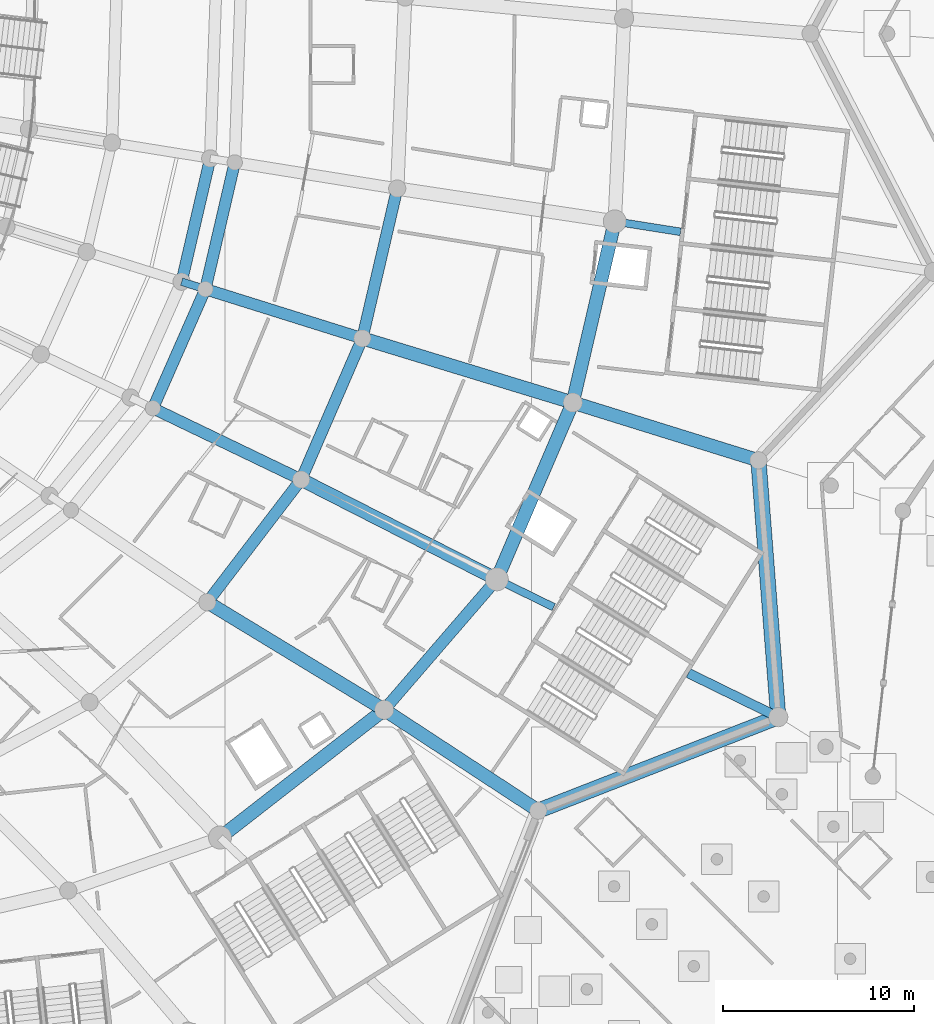
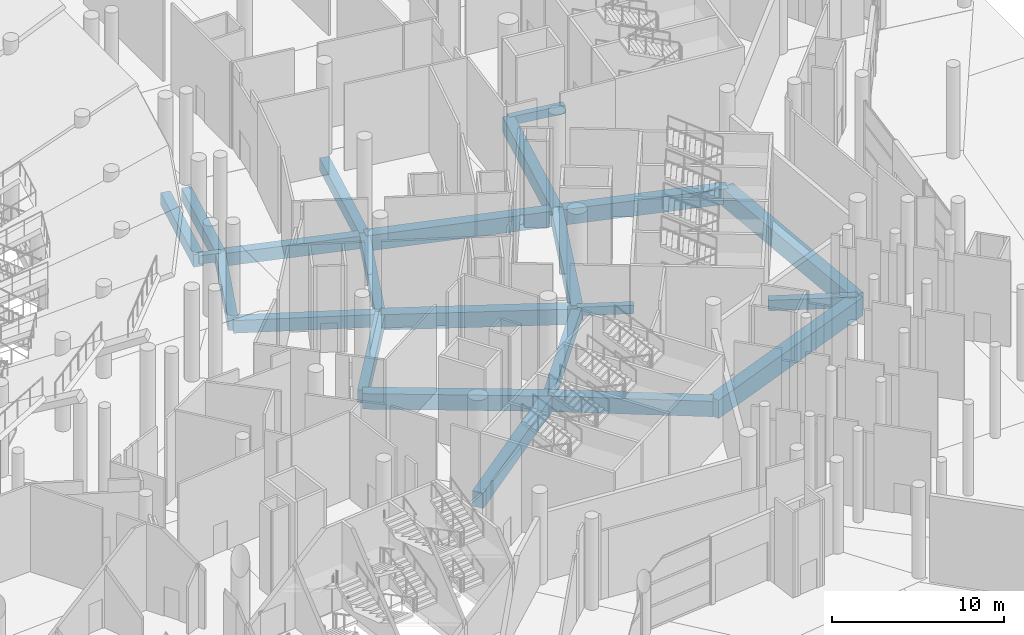
# One storey, part 36 of 255: 23 beams.
"""IFC4 building model written with IfcOpenShell, lengths in metres."""

from ifc_helpers import new_model, si_unit, direction, frame, origin, origin_2d, place, context, subcontext, project, spatial, rectangle, extrude, material, material_profile, profile_set, type_object, element, save


model = new_model("IFC4")

# Units and contexts
model_context = context("Model", 3, precision=1e-05, world=origin(), true_north=direction((0.0, 1.0)))
body_context = subcontext(model_context, "Body", "Model", "MODEL_VIEW")
ifc_project = project(units=[si_unit("LENGTHUNIT", "METRE"), si_unit("AREAUNIT", "SQUARE_METRE"), si_unit("VOLUMEUNIT", "CUBIC_METRE"), si_unit("PLANEANGLEUNIT", "RADIAN"), si_unit("MASSUNIT", "GRAM", prefix="KILO")], contexts=[model_context])

# Site, building, storey
site_placement = place(None, origin())
site = spatial("IfcSite", under=ifc_project, at=site_placement, CompositionType="ELEMENT")
building_placement = place(site_placement, origin())
building = spatial("IfcBuilding", under=site, at=building_placement, Name="Meseta Stadium", CompositionType="ELEMENT")
storey_placement = place(building_placement, origin())
storey = spatial("IfcBuildingStorey", under=building, at=storey_placement, Name="L00", CompositionType="ELEMENT", Elevation=0.0)

# Beams
ifc_material_1 = material(Name="Concrete C40/50", Category="concrete")
ifc_material_profile_1 = material_profile(ifc_material_1, rectangle(XDim=0.39990234375, YDim=0.60009765625, at=origin_2d()), Name="RC 400x600")
ifc_profile_set_1 = profile_set([ifc_material_profile_1], Name="Concrete C40/50")
beam_type_1 = type_object("IfcBeamType", Name="RC beam 400x600", PredefinedType="BEAM", material=ifc_profile_set_1)
beam_1_placement = place(storey_placement, frame((84.36328125, -53.5654296875, -0.699951171875), z_axis=(0.987745905014, -0.156070583799, 0.0), x_axis=(0.156070583799, 0.987745905014, 0.0)))
element("IfcBeam", 1, at=beam_1_placement, inside=storey, type_object=beam_type_1, Name="L00 radial beam frame 0 line P to R", PredefinedType="BEAM", context=body_context, shape_type="SweptSolid", body=[
    extrude(rectangle(XDim=0.39990234375, YDim=0.60009765625, at=origin_2d()), origin(), (0.0, 0.0, 1.0), 3.482177734375),
])
beam_2_placement = place(storey_placement, frame((78.197998046875, -72.27197265625, -0.699951171875), z_axis=(0.898132346212, -0.439725242267, 0.0), x_axis=(0.439725242267, 0.898132346212, 0.0)))
element("IfcBeam", 2, at=beam_2_placement, inside=storey, type_object=beam_type_1, Name="L00 radial beam frame 54 line P to R", PredefinedType="BEAM", context=body_context, shape_type="SweptSolid", body=[
    extrude(rectangle(XDim=0.39990234375, YDim=0.60009765625, at=origin_2d()), origin(), (0.0, 0.0, 1.0), 3.306396484375),
])
beam_3_placement = place(storey_placement, frame((61.72314453125, -56.715576171875, -0.699951171875), z_axis=(0.954202212312, -0.299162394059, 0.0), x_axis=(0.299162394059, 0.954202212312, 0.0)))
element("IfcBeam", 3, at=beam_3_placement, inside=storey, type_object=beam_type_1, Name="L00 radial beam frame 55 line C to D", PredefinedType="BEAM", context=body_context, shape_type="SweptSolid", body=[
    extrude(rectangle(XDim=0.39990234375, YDim=0.60009765625, at=origin_2d()), origin(), (0.0, 0.0, 1.0), 1.300048828125),
])
ifc_material_2 = material(Name="Concrete C40/50", Category="concrete")
ifc_material_profile_2 = material_profile(ifc_material_2, rectangle(XDim=0.5, YDim=0.75, at=origin_2d()), Name="RC 500x750")
ifc_profile_set_2 = profile_set([ifc_material_profile_2], Name="Concrete C40/50")
beam_type_2 = type_object("IfcBeamType", Name="RC beam 500x750", PredefinedType="BEAM", material=ifc_profile_set_2)
beam_4_placement = place(storey_placement, frame((88.212158203125, -77.175048828125, -0.77490234375), z_axis=(0.898112763243, -0.439765237939, 0.0), x_axis=(0.439765237939, 0.898112763243, 0.0)))
element("IfcBeam", 4, at=beam_4_placement, inside=storey, type_object=beam_type_2, Name="L00 radial beam frame 54 line P to R", PredefinedType="BEAM", context=body_context, shape_type="SweptSolid", body=[
    extrude(rectangle(XDim=0.5, YDim=0.75, at=origin_2d()), origin(), (0.0, 0.0, 1.0), 5.22900390625),
])
ifc_material_3 = material(Name="Concrete C40/50", Category="concrete")
ifc_material_profile_3 = material_profile(ifc_material_3, rectangle(XDim=0.60009765625, YDim=0.89990234375, at=origin_2d()), Name="RC 600x900")
ifc_profile_set_3 = profile_set([ifc_material_profile_3], Name="Concrete C40/50")
beam_type_3 = type_object("IfcBeamType", Name="RC beam 600x900", PredefinedType="BEAM", material=ifc_profile_set_3)
beam_5_placement = place(storey_placement, frame((63.068115234375, -73.469970703125, -0.85009765625), z_axis=(0.607521948786, 0.794302890428, 0.0), x_axis=(-0.794302890428, 0.607521948786, 0.0)))
element("IfcBeam", 5, at=beam_5_placement, inside=storey, type_object=beam_type_3, Name="L00 ring beam frame 53 line E", PredefinedType="BEAM", context=body_context, shape_type="SweptSolid", body=[
    extrude(rectangle(XDim=0.60009765625, YDim=0.89990234375, at=origin_2d()), origin(), (0.0, 0.0, 1.0), 8.072509765625),
])
beam_6_placement = place(storey_placement, frame((72.31201171875, -79.091064453125, -0.85009765625), z_axis=(0.653414508663, 0.757000316954, 0.0), x_axis=(-0.757000316954, 0.653414508663, 0.0)))
element("IfcBeam", 6, at=beam_6_placement, inside=storey, type_object=beam_type_3, Name="L00 ring beam frame 53 line P", PredefinedType="BEAM", context=body_context, shape_type="SweptSolid", body=[
    extrude(rectangle(XDim=0.60009765625, YDim=0.89990234375, at=origin_2d()), origin(), (0.0, 0.0, 1.0), 9.008056640625),
])
beam_7_placement = place(storey_placement, frame((60.22216796875, -63.33056640625, -0.85009765625), z_axis=(0.402982741988, 0.915207577361, 0.0), x_axis=(-0.915207577361, 0.402982741988, 0.0)))
element("IfcBeam", 7, at=beam_7_placement, inside=storey, type_object=beam_type_3, Name="L00 ring beam frame 54 line D", PredefinedType="BEAM", context=body_context, shape_type="SweptSolid", body=[
    extrude(rectangle(XDim=0.60009765625, YDim=0.89990234375, at=origin_2d()), origin(), (0.0, 0.0, 1.0), 6.802978515625),
])
beam_8_placement = place(storey_placement, frame((67.972412109375, -67.057861328125, -0.85009765625), z_axis=(0.397502661884, 0.91760102103, 0.0), x_axis=(-0.91760102103, 0.397502661884, 0.0)))
element("IfcBeam", 8, at=beam_8_placement, inside=storey, type_object=beam_type_3, Name="L00 ring beam frame 54 line E", PredefinedType="BEAM", context=body_context, shape_type="SweptSolid", body=[
    extrude(rectangle(XDim=0.60009765625, YDim=0.89990234375, at=origin_2d()), origin(), (0.0, 0.0, 1.0), 8.04345703125),
])
beam_9_placement = place(storey_placement, frame((61.72314453125, -56.715576171875, -0.85009765625), z_axis=(0.226059029022, 0.974113604975, 0.0), x_axis=(-0.974113604975, 0.226059029022, 0.0)))
element("IfcBeam", 9, at=beam_9_placement, inside=storey, type_object=beam_type_3, Name="L00 ring beam frame 55 line C", PredefinedType="BEAM", context=body_context, shape_type="SweptSolid", body=[
    extrude(rectangle(XDim=0.60009765625, YDim=0.89990234375, at=origin_2d()), origin(), (0.0, 0.0, 1.0), 6.61376953125),
])
beam_10_placement = place(storey_placement, frame((62.963623046875, -57.1044921875, -0.85009765625), z_axis=(0.226157078617, 0.974090845759, 0.0), x_axis=(-0.974090845759, 0.226157078617, 0.0)))
element("IfcBeam", 10, at=beam_10_placement, inside=storey, type_object=beam_type_3, Name="L00 ring beam frame 55 line D", PredefinedType="BEAM", context=body_context, shape_type="SweptSolid", body=[
    extrude(rectangle(XDim=0.60009765625, YDim=0.89990234375, at=origin_2d()), origin(), (0.0, 0.0, 1.0), 6.801025390625),
])
beam_11_placement = place(storey_placement, frame((71.169677734375, -59.67724609375, -0.85009765625), z_axis=(0.226697740265, 0.973965160855, 0.0), x_axis=(-0.973965160855, 0.226697740265, 0.0)))
element("IfcBeam", 11, at=beam_11_placement, inside=storey, type_object=beam_type_3, Name="L00 ring beam frame 55 line E", PredefinedType="BEAM", context=body_context, shape_type="SweptSolid", body=[
    extrude(rectangle(XDim=0.60009765625, YDim=0.89990234375, at=origin_2d()), origin(), (0.0, 0.0, 1.0), 8.039306640625),
])
for number, where, z_axis, x_axis, name in (
    (12, (60.22216796875, -63.33056640625, -0.85009765625), (0.901197200503, -0.433409282094, 0.0), (0.433409282094, 0.901197200503, 0.0), "L00 radial beam frame 54 line D to E"),
    (13, (62.963623046875, -57.1044921875, -0.85009765625), (0.9542027514, -0.299160674588, 0.0), (0.299160674588, 0.9542027514, 0.0), "L00 radial beam frame 55 line D to E"),
):
    element("IfcBeam", number, at=place(storey_placement, frame(where, z_axis=z_axis, x_axis=x_axis)), inside=storey, type_object=beam_type_3, Name=name, PredefinedType="BEAM", context=body_context, shape_type="SweptSolid", body=[
        extrude(rectangle(XDim=0.60009765625, YDim=0.89990234375, at=origin_2d()), origin(), (0.0, 0.0, 1.0), 8.599853515625),
    ])
ifc_material_4 = material(Name="Concrete C40/50", Category="concrete")
ifc_material_profile_4 = material_profile(ifc_material_4, rectangle(XDim=0.699951171875, YDim=1.10009765625, at=origin_2d()), Name="RC 700x1100")
ifc_profile_set_4 = profile_set([ifc_material_profile_4], Name="Concrete C40/50")
beam_type_4 = type_object("IfcBeamType", Name="RC beam 700x1100", PredefinedType="BEAM", material=ifc_profile_set_4)
beam_12_placement = place(storey_placement, frame((63.731201171875, -85.77099609375, -0.949951171875), z_axis=(0.789086185012, 0.614282502293, 0.0), x_axis=(-0.614282502293, 0.789086185012, 0.0)))
element("IfcBeam", 14, at=beam_12_placement, inside=storey, type_object=beam_type_4, Name="L00 ring beam frame 52 line P", PredefinedType="BEAM", context=body_context, shape_type="SweptSolid", body=[
    extrude(rectangle(XDim=0.699951171875, YDim=1.10009765625, at=origin_2d()), origin(), (0.0, 0.0, 1.0), 10.874267578125),
])
beam_13_placement = place(storey_placement, frame((78.197998046875, -72.27197265625, -0.949951171875), z_axis=(0.394921198525, 0.918714997676, 0.0), x_axis=(-0.918714997676, 0.394921198525, 0.0)))
element("IfcBeam", 15, at=beam_13_placement, inside=storey, type_object=beam_type_4, Name="L00 ring beam frame 54 line P", PredefinedType="BEAM", context=body_context, shape_type="SweptSolid", body=[
    extrude(rectangle(XDim=0.699951171875, YDim=1.10009765625, at=origin_2d()), origin(), (0.0, 0.0, 1.0), 10.0556640625),
])
beam_14_placement = place(storey_placement, frame((82.169189453125, -63.03369140625, -0.949951171875), z_axis=(0.225749180431, 0.974185458491, 0.0), x_axis=(-0.974185458491, 0.225749180431, 0.0)))
element("IfcBeam", 16, at=beam_14_placement, inside=storey, type_object=beam_type_4, Name="L00 ring beam frame 55 line P", PredefinedType="BEAM", context=body_context, shape_type="SweptSolid", body=[
    extrude(rectangle(XDim=0.699951171875, YDim=1.10009765625, at=origin_2d()), origin(), (0.0, 0.0, 1.0), 9.71923828125),
])
beam_15_placement = place(storey_placement, frame((63.068115234375, -73.469970703125, -0.949951171875), z_axis=(0.854429426189, -0.519567469788, 0.0), x_axis=(0.519567469788, 0.854429426189, 0.0)))
element("IfcBeam", 17, at=beam_15_placement, inside=storey, type_object=beam_type_4, Name="L00 radial beam frame 53 line E to P", PredefinedType="BEAM", context=body_context, shape_type="SweptSolid", body=[
    extrude(rectangle(XDim=0.699951171875, YDim=1.10009765625, at=origin_2d()), origin(), (0.0, 0.0, 1.0), 10.81884765625),
])
beam_16_placement = place(storey_placement, frame((72.31201171875, -79.091064453125, -0.949951171875), z_axis=(0.836556122728, -0.547881240349, 0.0), x_axis=(0.547881240349, 0.836556122728, 0.0)))
element("IfcBeam", 18, at=beam_16_placement, inside=storey, type_object=beam_type_4, Name="L00 radial beam frame 53 line P to R", PredefinedType="BEAM", context=body_context, shape_type="SweptSolid", body=[
    extrude(rectangle(XDim=0.699951171875, YDim=1.10009765625, at=origin_2d()), origin(), (0.0, 0.0, 1.0), 9.626953125),
])
beam_17_placement = place(storey_placement, frame((67.972412109375, -67.057861328125, -0.949951171875), z_axis=(0.890868510984, -0.454261264184, 0.0), x_axis=(0.454261264184, 0.890868510984, 0.0)))
element("IfcBeam", 19, at=beam_17_placement, inside=storey, type_object=beam_type_4, Name="L00 radial beam frame 54 line E to P", PredefinedType="BEAM", context=body_context, shape_type="SweptSolid", body=[
    extrude(rectangle(XDim=0.699951171875, YDim=1.10009765625, at=origin_2d()), origin(), (0.0, 0.0, 1.0), 11.478271484375),
])
beam_18_placement = place(storey_placement, frame((71.169677734375, -59.67724609375, -0.949951171875), z_axis=(0.956461260307, -0.291859311198, 0.0), x_axis=(0.291859311198, 0.956461260307, 0.0)))
element("IfcBeam", 20, at=beam_18_placement, inside=storey, type_object=beam_type_4, Name="L00 radial beam frame 55 line E to P", PredefinedType="BEAM", context=body_context, shape_type="SweptSolid", body=[
    extrude(rectangle(XDim=0.699951171875, YDim=1.10009765625, at=origin_2d()), origin(), (0.0, 0.0, 1.0), 11.500244140625),
])
beam_19_placement = place(storey_placement, frame((82.169189453125, -63.03369140625, -0.949951171875), z_axis=(0.954886907796, -0.296969684176, 0.0), x_axis=(0.296969684176, 0.954886907796, 0.0)))
element("IfcBeam", 21, at=beam_19_placement, inside=storey, type_object=beam_type_4, Name="L00 radial beam frame 55 line P to R", PredefinedType="BEAM", context=body_context, shape_type="SweptSolid", body=[
    extrude(rectangle(XDim=0.699951171875, YDim=1.10009765625, at=origin_2d()), origin(), (0.0, 0.0, 1.0), 10.162109375),
])
ifc_material_5 = material(Name="Concrete C40/50", Category="concrete")
ifc_material_profile_5 = material_profile(ifc_material_5, rectangle(XDim=0.800048828125, YDim=1.300048828125, at=origin_2d()), Name="RC 800x1300")
ifc_profile_set_5 = profile_set([ifc_material_profile_5], Name="Concrete C40/50")
beam_type_5 = type_object("IfcBeamType", Name="RC beam 800x1300", PredefinedType="BEAM", material=ifc_profile_set_5)
for number, where, z_axis, x_axis, name in (
    (22, (80.365478515625, -84.365478515625, -1.050048828125), (0.93167689837, 0.363287980868, 0.0), (-0.363287980868, 0.93167689837, 0.0), "L00 ring beam frame 53 line R"),
    (23, (92.908447265625, -79.474609375, -1.050048828125), (-0.076925307894, 0.997036858399, 0.0), (-0.997036858399, -0.076925307894, 0.0), "L00 ring beam frame 54 line R"),
):
    element("IfcBeam", number, at=place(storey_placement, frame(where, z_axis=z_axis, x_axis=x_axis)), inside=storey, type_object=beam_type_5, Name=name, PredefinedType="BEAM", context=body_context, shape_type="SweptSolid", body=[
        extrude(rectangle(XDim=0.800048828125, YDim=1.300048828125, at=origin_2d()), origin(), (0.0, 0.0, 1.0), 13.462890625),
    ])

save(model, "model.ifc")
